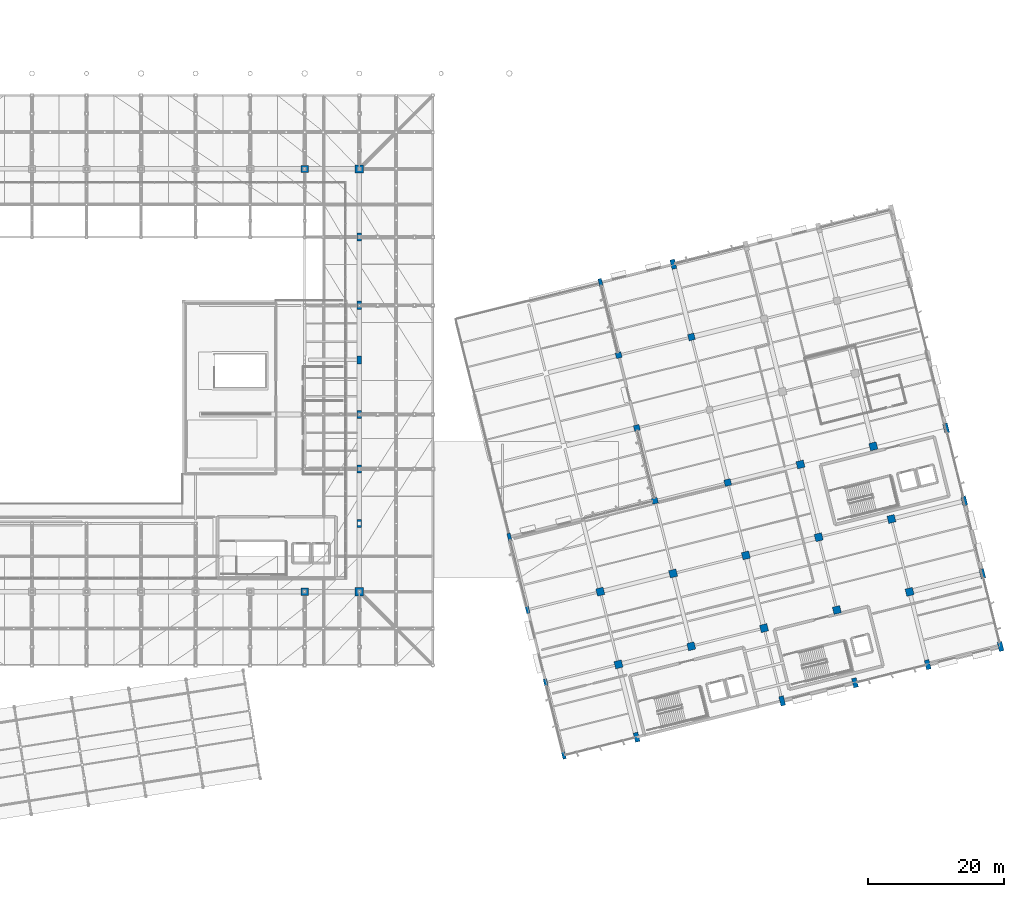
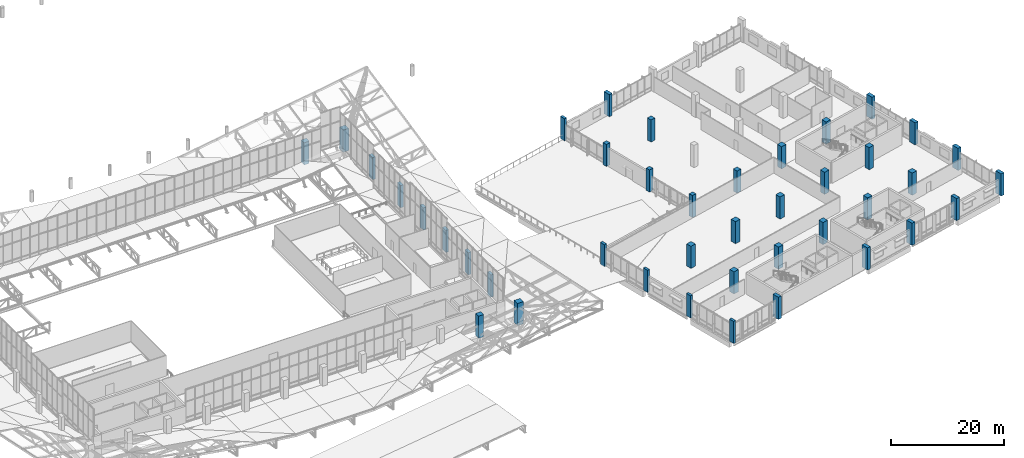
# One storey, part 4 of 137: 41 columns.
"""IFC4 building model written with IfcOpenShell, lengths in metres."""

from ifc_helpers import new_model, si_unit, direction, frame, origin, origin_2d, place, context, subcontext, project, spatial, rectangle, extrude, material, material_profile, profile_set, type_object, element, save


model = new_model("IFC4")

# Units and contexts
model_context = context("Model", 3, precision=1e-05, world=origin(), true_north=direction((0.0, 1.0)))
body_context = subcontext(model_context, "Body", "Model", "MODEL_VIEW")
ifc_project = project(units=[si_unit("LENGTHUNIT", "METRE"), si_unit("AREAUNIT", "SQUARE_METRE"), si_unit("VOLUMEUNIT", "CUBIC_METRE"), si_unit("PLANEANGLEUNIT", "RADIAN"), si_unit("MASSUNIT", "GRAM", prefix="KILO")], contexts=[model_context])

# Site, building, storey
site_placement = place(None, origin())
site = spatial("IfcSite", under=ifc_project, at=site_placement, CompositionType="ELEMENT")
building_placement = place(site_placement, origin())
building = spatial("IfcBuilding", under=site, at=building_placement, Name="Khorjan Park Terminus", CompositionType="ELEMENT")
storey_placement = place(building_placement, frame((0.0, 0.0, 11.4)))
storey = spatial("IfcBuildingStorey", under=building, at=storey_placement, Name="L02", CompositionType="ELEMENT", Elevation=11.4)

# Columns
ifc_material_1 = material(Name="Concrete C50/60", Category="concrete")
ifc_material_profile_1 = material_profile(ifc_material_1, rectangle(XDim=0.5, YDim=1.1, at=origin_2d()), Name="RC 500x1100")
ifc_profile_set_1 = profile_set([ifc_material_profile_1], Name="Concrete C50/60")
column_type_1 = type_object("IfcColumnType", Name="COL-BL1100E", PredefinedType="COLUMN", material=ifc_profile_set_1)
for number, where, z_axis, x_axis, name in (
    (1, (166.0, 2.0, 0.0), (0.0, 0.0, 1.0), (0.970295726276, 0.2419218956, 0.0), "Structural column C-BL11 (L02 #664)"),
    (2, (163.339, 12.673, 0.0), (0.0, 0.0, 1.0), (0.970295726276, 0.2419218956, 0.0), "Structural column C-BL11 (L02 #668)"),
    (3, (160.678, 23.346, 0.0), (0.0, 0.0, 1.0), (0.970295726276, 0.2419218956, 0.0), "Structural column C-BL11 (L02 #672)"),
    (4, (158.017, 34.02, 0.0), (0.0, 0.0, 1.0), (0.970295726276, 0.2419218956, 0.0), "Structural column C-BL11 (L02 #676)"),
    (5, (171.38, 71.362, 0.0), (0.0, 0.0, 1.0), (0.970295726276, 0.2419218956, 0.0), "Structural column C-BL11 (L02 #748)"),
):
    element("IfcColumn", number, at=place(storey_placement, frame(where, z_axis=z_axis, x_axis=x_axis)), inside=storey, type_object=column_type_1, Name=name, PredefinedType="COLUMN", context=body_context, shape_type="SweptSolid", body=[
        extrude(rectangle(XDim=0.5, YDim=1.1, at=origin_2d()), origin(), (0.0, 0.0, 1.0), 4.8),
    ])
ifc_material_profile_2 = material_profile(ifc_material_1, rectangle(XDim=0.6, YDim=1.2, at=origin_2d()), Name="RC 600x1200")
ifc_profile_set_2 = profile_set([ifc_material_profile_2], Name="Concrete C50/60")
column_type_2 = type_object("IfcColumnType", Name="COL-BL1200", PredefinedType="COLUMN", material=ifc_profile_set_2)
for number, where, z_axis, x_axis, name in (
    (6, (136.0, 36.0, 0.0), (0.0, 0.0, 1.0), (1.0, 0.0, 0.0), "Structural column C-BL12 (L02 #474)"),
    (7, (136.0, 44.0, 0.0), (0.0, 0.0, 1.0), (1.0, 0.0, 0.0), "Structural column C-BL12 (L02 #479)"),
    (8, (136.0, 52.0, 0.0), (0.0, 0.0, 1.0), (1.0, 0.0, 0.0), "Structural column C-BL12 (L02 #484)"),
    (9, (136.0, 60.0, 0.0), (0.0, 0.0, 1.0), (1.0, 0.0, 0.0), "Structural column C-BL12 (L02 #489)"),
    (10, (136.0, 68.0, 0.0), (0.0, 0.0, 1.0), (1.0, 0.0, 0.0), "Structural column C-BL12 (L02 #494)"),
    (11, (136.0, 78.0, 0.0), (0.0, 0.0, 1.0), (1.0, 0.0, 0.0), "Structural column C-BL12 (L02 #499)"),
):
    element("IfcColumn", number, at=place(storey_placement, frame(where, z_axis=z_axis, x_axis=x_axis)), inside=storey, type_object=column_type_2, Name=name, PredefinedType="COLUMN", context=body_context, shape_type="SweptSolid", body=[
        extrude(rectangle(XDim=0.6, YDim=1.2, at=origin_2d()), origin(), (0.0, 0.0, 1.0), 4.8),
    ])
ifc_material_profile_3 = material_profile(ifc_material_1, rectangle(XDim=0.7, YDim=1.4, at=origin_2d()), Name="RC 700x1400")
ifc_profile_set_3 = profile_set([ifc_material_profile_3], Name="Concrete C50/60")
column_type_3 = type_object("IfcColumnType", Name="COL-BL1400E", PredefinedType="COLUMN", material=ifc_profile_set_3)
for number, where, z_axis, x_axis, name in (
    (12, (176.673, 4.661, 0.0), (0.0, 0.0, 1.0), (0.970295726276, 0.2419218956, 0.0), "Structural column C-BL14 (L02 #689)"),
    (13, (198.02, 9.983, 0.0), (0.0, 0.0, 1.0), (0.970295726276, 0.2419218956, 0.0), "Structural column C-BL14 (L02 #752)"),
    (14, (182.053, 74.023, 0.0), (0.0, 0.0, 1.0), (0.970295726276, 0.2419218956, 0.0), "Structural column C-BL14 (L02 #788)"),
    (15, (208.693, 12.645, 0.0), (0.0, 0.0, 1.0), (0.970295726276, 0.2419218956, 0.0), "Structural column C-BL14 (L02 #793)"),
    (16, (219.366, 15.306, 0.0), (0.0, 0.0, 1.0), (0.970295726276, 0.2419218956, 0.0), "Structural column C-BL14 (L02 #839)"),
    (17, (230.04, 17.967, 0.0), (0.0, 0.0, 1.0), (0.970295726276, 0.2419218956, 0.0), "Structural column C-BL14 (L02 #885)"),
    (18, (227.378, 28.64, 0.0), (0.0, 0.0, 1.0), (0.970295726276, 0.2419218956, 0.0), "Structural column C-BL14 (L02 #892)"),
    (19, (224.717, 39.313, 0.0), (0.0, 0.0, 1.0), (0.970295726276, 0.2419218956, 0.0), "Structural column C-BL14 (L02 #899)"),
    (20, (222.056, 49.987, 0.0), (0.0, 0.0, 1.0), (0.970295726276, 0.2419218956, 0.0), "Structural column C-BL14 (L02 #906)"),
):
    element("IfcColumn", number, at=place(storey_placement, frame(where, z_axis=z_axis, x_axis=x_axis)), inside=storey, type_object=column_type_3, Name=name, PredefinedType="COLUMN", context=body_context, shape_type="SweptSolid", body=[
        extrude(rectangle(XDim=0.7, YDim=1.4, at=origin_2d()), origin(), (0.0, 0.0, 1.0), 4.8),
    ])
ifc_material_profile_4 = material_profile(ifc_material_1, rectangle(XDim=1.05, YDim=1.05, at=origin_2d()), Name="RC 1050x1050")
ifc_profile_set_4 = profile_set([ifc_material_profile_4], Name="Concrete C50/60")
column_type_4 = type_object("IfcColumnType", Name="COL-RC1050", PredefinedType="COLUMN", material=ifc_profile_set_4)
for number, where, z_axis, x_axis, name in (
    (21, (128.0, 26.0, 0.0), (0.0, 0.0, 1.0), (1.0, 0.0, 0.0), "Structural column C-RC105 (L02 #444)"),
    (22, (128.0, 88.0, 0.0), (0.0, 0.0, 1.0), (1.0, 0.0, 0.0), "Structural column C-RC105 (L02 #464)"),
):
    element("IfcColumn", number, at=place(storey_placement, frame(where, z_axis=z_axis, x_axis=x_axis)), inside=storey, type_object=column_type_4, Name=name, PredefinedType="COLUMN", context=body_context, shape_type="SweptSolid", body=[
        extrude(rectangle(XDim=1.05, YDim=1.05, at=origin_2d()), origin(), (0.0, 0.0, 1.0), 4.8),
    ])
ifc_material_profile_5 = material_profile(ifc_material_1, rectangle(XDim=1.1, YDim=1.1, at=origin_2d()), Name="RC 1100x1100")
ifc_profile_set_5 = profile_set([ifc_material_profile_5], Name="Concrete C50/60")
column_type_5 = type_object("IfcColumnType", Name="COL-RC1100", PredefinedType="COLUMN", material=ifc_profile_set_5)
for number, where, z_axis, x_axis, name in (
    (23, (174.012, 15.334, 0.0), (0.0, 0.0, 1.0), (0.970295726276, 0.2419218956, 0.0), "Structural column C-RC11 (L02 #696)"),
    (24, (171.351, 26.008, 0.0), (0.0, 0.0, 1.0), (0.970295726276, 0.2419218956, 0.0), "Structural column C-RC11 (L02 #703)"),
    (25, (184.685, 17.995, 0.0), (0.0, 0.0, 1.0), (0.970295726276, 0.2419218956, 0.0), "Structural column C-RC11 (L02 #722)"),
    (26, (182.024, 28.669, 0.0), (0.0, 0.0, 1.0), (0.970295726276, 0.2419218956, 0.0), "Structural column C-RC11 (L02 #729)"),
    (27, (195.359, 20.657, 0.0), (0.0, 0.0, 1.0), (0.970295726276, 0.2419218956, 0.0), "Structural column C-RC11 (L02 #759)"),
    (28, (192.697, 31.33, 0.0), (0.0, 0.0, 1.0), (0.970295726276, 0.2419218956, 0.0), "Structural column C-RC11 (L02 #766)"),
    (29, (206.032, 23.318, 0.0), (0.0, 0.0, 1.0), (0.970295726276, 0.2419218956, 0.0), "Structural column C-RC11 (L02 #800)"),
    (30, (203.371, 33.991, 0.0), (0.0, 0.0, 1.0), (0.970295726276, 0.2419218956, 0.0), "Structural column C-RC11 (L02 #807)"),
    (31, (200.71, 44.664, 0.0), (0.0, 0.0, 1.0), (0.970295726276, 0.2419218956, 0.0), "Structural column C-RC11 (L02 #814)"),
    (32, (216.705, 25.979, 0.0), (0.0, 0.0, 1.0), (0.970295726276, 0.2419218956, 0.0), "Structural column C-RC11 (L02 #846)"),
    (33, (214.044, 36.652, 0.0), (0.0, 0.0, 1.0), (0.970295726276, 0.2419218956, 0.0), "Structural column C-RC11 (L02 #853)"),
    (34, (211.383, 47.325, 0.0), (0.0, 0.0, 1.0), (0.970295726276, 0.2419218956, 0.0), "Structural column C-RC11 (L02 #860)"),
):
    element("IfcColumn", number, at=place(storey_placement, frame(where, z_axis=z_axis, x_axis=x_axis)), inside=storey, type_object=column_type_5, Name=name, PredefinedType="COLUMN", context=body_context, shape_type="SweptSolid", body=[
        extrude(rectangle(XDim=1.1, YDim=1.1, at=origin_2d()), origin(), (0.0, 0.0, 1.0), 4.8),
    ])
ifc_material_profile_6 = material_profile(ifc_material_1, rectangle(XDim=1.2, YDim=1.2, at=origin_2d()), Name="RC 1200x1200")
ifc_profile_set_6 = profile_set([ifc_material_profile_6], Name="Concrete C50/60")
column_type_6 = type_object("IfcColumnType", Name="COL-RC1200", PredefinedType="COLUMN", material=ifc_profile_set_6)
for number, where, z_axis, x_axis, name in (
    (35, (136.0, 26.0, 0.0), (0.0, 0.0, 1.0), (1.0, 0.0, 0.0), "Structural column C-RC12 (L02 #469)"),
    (36, (136.0, 88.0, 0.0), (0.0, 0.0, 1.0), (1.0, 0.0, 0.0), "Structural column C-RC12 (L02 #504)"),
):
    element("IfcColumn", number, at=place(storey_placement, frame(where, z_axis=z_axis, x_axis=x_axis)), inside=storey, type_object=column_type_6, Name=name, PredefinedType="COLUMN", context=body_context, shape_type="SweptSolid", body=[
        extrude(rectangle(XDim=1.2, YDim=1.2, at=origin_2d()), origin(), (0.0, 0.0, 1.0), 4.8),
    ])
ifc_material_2 = material(Name="Concrete C40/50", Category="concrete")
ifc_material_profile_7 = material_profile(ifc_material_2, rectangle(XDim=0.85, YDim=0.85, at=origin_2d()), Name="RC 850x850")
ifc_profile_set_7 = profile_set([ifc_material_profile_7], Name="Concrete C40/50")
column_type_7 = type_object("IfcColumnType", Name="COL-RC850", PredefinedType="COLUMN", material=ifc_profile_set_7)
for number, where, z_axis, x_axis, name in (
    (37, (179.363, 39.342, 0.0), (0.0, 0.0, 1.0), (0.970295726276, 0.2419218956, 0.0), "Structural column C-RC85 (L02 #736)"),
    (38, (176.702, 50.015, 0.0), (0.0, 0.0, 1.0), (0.970295726276, 0.2419218956, 0.0), "Structural column C-RC85 (L02 #740)"),
    (39, (174.041, 60.688, 0.0), (0.0, 0.0, 1.0), (0.970295726276, 0.2419218956, 0.0), "Structural column C-RC85 (L02 #744)"),
):
    element("IfcColumn", number, at=place(storey_placement, frame(where, z_axis=z_axis, x_axis=x_axis)), inside=storey, type_object=column_type_7, Name=name, PredefinedType="COLUMN", context=body_context, shape_type="SweptSolid", body=[
        extrude(rectangle(XDim=0.85, YDim=0.85, at=origin_2d()), origin(), (0.0, 0.0, 1.0), 4.8),
    ])
ifc_material_profile_8 = material_profile(ifc_material_1, rectangle(XDim=0.95, YDim=0.95, at=origin_2d()), Name="RC 950x950")
ifc_profile_set_8 = profile_set([ifc_material_profile_8], Name="Concrete C50/60")
column_type_8 = type_object("IfcColumnType", Name="COL-RC950", PredefinedType="COLUMN", material=ifc_profile_set_8)
for number, where, z_axis, x_axis, name in (
    (40, (190.036, 42.003, 0.0), (0.0, 0.0, 1.0), (0.970295726276, 0.2419218956, 0.0), "Structural column C-RC95 (L02 #773)"),
    (41, (184.714, 63.35, 0.0), (0.0, 0.0, 1.0), (0.970295726276, 0.2419218956, 0.0), "Structural column C-RC95 (L02 #783)"),
):
    element("IfcColumn", number, at=place(storey_placement, frame(where, z_axis=z_axis, x_axis=x_axis)), inside=storey, type_object=column_type_8, Name=name, PredefinedType="COLUMN", context=body_context, shape_type="SweptSolid", body=[
        extrude(rectangle(XDim=0.95, YDim=0.95, at=origin_2d()), origin(), (0.0, 0.0, 1.0), 4.8),
    ])

save(model, "model.ifc")
